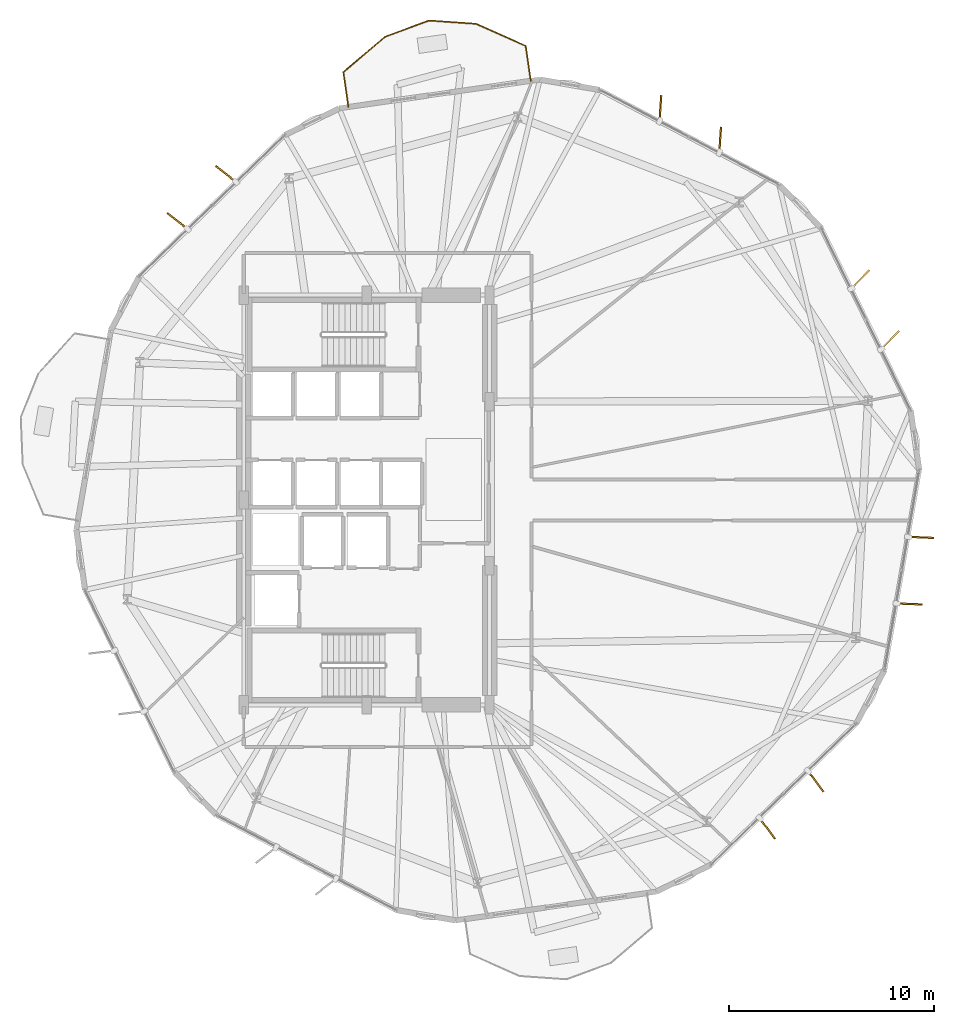
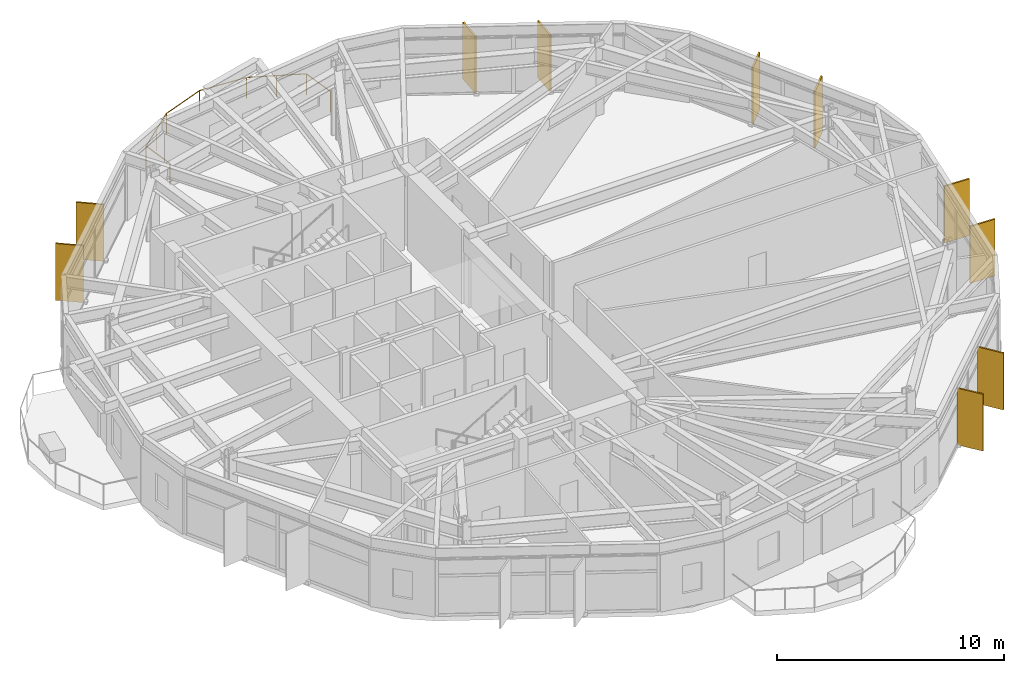
# One storey, part 22 of 22: 10 shading devices, 1 railing.
"""IFC4 building model written with IfcOpenShell, lengths in metres."""

from ifc_helpers import new_model, si_unit, direction, frame, origin, origin_2d, place, context, subcontext, project, spatial, rectangle, circle, extrude, material, layer, layer_set, type_object, element, save


model = new_model("IFC4")

# Units and contexts
model_context = context("Model", 3, precision=1e-05, world=origin(), true_north=direction((0.0, 1.0)))
body_context = subcontext(model_context, "Body", "Model", "MODEL_VIEW")
ifc_project = project(units=[si_unit("LENGTHUNIT", "METRE"), si_unit("AREAUNIT", "SQUARE_METRE"), si_unit("VOLUMEUNIT", "CUBIC_METRE"), si_unit("PLANEANGLEUNIT", "RADIAN"), si_unit("MASSUNIT", "GRAM", prefix="KILO")], contexts=[model_context])

# Site, building, storey
site_placement = place(None, origin())
site = spatial("IfcSite", under=ifc_project, at=site_placement, CompositionType="ELEMENT")
building_placement = place(site_placement, origin())
building = spatial("IfcBuilding", under=site, at=building_placement, Name="Soratama Intermodal Tower", CompositionType="ELEMENT")
storey_placement = place(building_placement, frame((0.0, 0.0, 58.60009765625)))
storey = spatial("IfcBuildingStorey", under=building, at=storey_placement, Name="L13", CompositionType="ELEMENT", Elevation=58.60009765625)

# Railing
ifc_material_1 = material(Name="Laminated glass and stainless steel balustrade", Category="steel")
railing_type = type_object("IfcRailingType", Name="RL-BAL-1150", PredefinedType="BALUSTRADE", material=ifc_material_1)
railing_placement = place(storey_placement, frame((37.7060546875, 44.1845703125, 0.0)))
element("IfcRailing", 1, at=railing_placement, inside=storey, type_object=railing_type, Name="L13 Balcony Balustrade 1", PredefinedType="BALUSTRADE", context=body_context, shape_type="SweptSolid", body=[
    extrude(circle(Radius=0.02392578125, at=origin_2d()), frame((0.0, 0.0, 1.1259765625), z_axis=(-0.141937991265, 0.989875551085, 0.0), x_axis=(-0.989875551085, -0.141937991265, 0.0)), (0.0, 0.0, 1.0), 1.719970703125),
    extrude(circle(Radius=0.02392578125, at=origin_2d()), frame((-0.244140625, 1.70263671875, 1.1259765625), z_axis=(0.762161470195, 0.647386973417, 0.0), x_axis=(-0.647386973417, 0.762161470195, 0.0)), (0.0, 0.0, 1.0), 2.65673828125),
    extrude(circle(Radius=0.02392578125, at=origin_2d()), frame((1.78076171875, 3.422607421875, 1.1259765625), z_axis=(0.937756442599, 0.347293614056, 0.0), x_axis=(-0.347293614056, 0.937756442599, 0.0)), (0.0, 0.0, 1.0), 2.300048828125),
    extrude(circle(Radius=0.02392578125, at=origin_2d()), frame((3.937744140625, 4.221435546875, 1.1259765625), z_axis=(0.997558449591, -0.069836520888, 0.0), x_axis=(0.069836520888, 0.997558449591, 0.0)), (0.0, 0.0, 1.0), 2.30029296875),
    extrude(circle(Radius=0.02392578125, at=origin_2d()), frame((6.232421875, 4.060791015625, 1.1259765625), z_axis=(0.913379014024, -0.407110275896, 0.0), x_axis=(0.407110275896, 0.913379014024, 0.0)), (0.0, 0.0, 1.0), 2.65673828125),
    extrude(circle(Radius=0.02392578125, at=origin_2d()), frame((8.658935546875, 2.979248046875, 1.1259765625), z_axis=(0.141937991265, -0.989875551085, 0.0), x_axis=(0.989875551085, 0.141937991265, 0.0)), (0.0, 0.0, 1.0), 1.719970703125),
    extrude(circle(Radius=0.02099609375, at=origin_2d()), origin(), (0.0, 0.0, 1.0), 1.101806640625),
    extrude(circle(Radius=0.02099609375, at=origin_2d()), frame((-0.244140625, 1.70263671875, 0.0)), (0.0, 0.0, 1.0), 1.101806640625),
    extrude(circle(Radius=0.02099609375, at=origin_2d()), frame((0.768310546875, 2.5625, 0.0)), (0.0, 0.0, 1.0), 1.101806640625),
    extrude(circle(Radius=0.02099609375, at=origin_2d()), frame((1.78076171875, 3.422607421875, 0.0)), (0.0, 0.0, 1.0), 1.101806640625),
    extrude(circle(Radius=0.02099609375, at=origin_2d()), frame((3.937744140625, 4.221435546875, 0.0)), (0.0, 0.0, 1.0), 1.101806640625),
    extrude(circle(Radius=0.02099609375, at=origin_2d()), frame((6.232421875, 4.060791015625, 0.0)), (0.0, 0.0, 1.0), 1.101806640625),
    extrude(circle(Radius=0.02099609375, at=origin_2d()), frame((7.44580078125, 3.52001953125, 0.0)), (0.0, 0.0, 1.0), 1.101806640625),
    extrude(circle(Radius=0.02099609375, at=origin_2d()), frame((8.658935546875, 2.979248046875, 0.0)), (0.0, 0.0, 1.0), 1.101806640625),
    extrude(circle(Radius=0.02099609375, at=origin_2d()), frame((8.903076171875, 1.276611328125, 0.0)), (0.0, 0.0, 1.0), 1.101806640625),
])

# Shading devices
ifc_material_2 = material(Name="Champagne anodised aluminium solar fin", Category="aluminium")
ifc_layer = layer(ifc_material_2, 0.080078125)
ifc_layer_set = layer_set([ifc_layer], Name="Champagne anodised aluminium solar fin")
shading_device_type = type_object("IfcShadingDeviceType", Name="SH-FIN-1250", PredefinedType="USERDEFINED", material=ifc_layer_set)
for number, where, z_axis, x_axis, name in (
    (2, (64.152587890625, 32.809326171875, 0.019775390625), (0.0, 0.0, 1.0), (0.699912695896, 0.714228407531, 0.0), "L13 Solar Fin F01-1"),
    (3, (62.69873046875, 35.76953125, 0.019775390625), (0.0, 0.0, 1.0), (0.699912695896, 0.714228407531, 0.0), "L13 Solar Fin F01-2"),
    (4, (55.853515625, 42.581298828125, 0.019775390625), (0.0, 0.0, 1.0), (0.066970481029, 0.997754957227, 0.0), "L13 Solar Fin F02-1"),
    (5, (52.93701171875, 44.121337890625, 0.019775390625), (0.0, 0.0, 1.0), (0.066970481029, 0.997754957227, 0.0), "L13 Solar Fin F02-2"),
    (6, (31.7265625, 40.916015625, 0.019775390625), (0.0, 0.0, 1.0), (-0.783476588107, 0.621421303053, 0.0), "L13 Solar Fin F04-1"),
    (7, (29.360595703125, 38.618408203125, 0.019775390625), (0.0, 0.0, 1.0), (-0.783476588107, 0.621421303053, 0.0), "L13 Solar Fin F04-2"),
    (8, (58.15380859375, 8.968017578125, 0.019775390625), (0.0, 0.0, 1.0), (0.598184746287, -0.801358227829, 0.0), "L13 Solar Fin F09-1"),
    (9, (60.52001953125, 11.265625, 0.019775390625), (0.0, 0.0, 1.0), (0.598184746287, -0.801358227829, 0.0), "L13 Solar Fin F09-2"),
    (10, (65.093505859375, 19.92578125, 0.019775390625), (0.0, 0.0, 1.0), (0.999108151868, -0.042224410831, 0.0), "L13 Solar Fin F10-1"),
    (11, (65.6572265625, 23.17529296875, 0.019775390625), (0.0, 0.0, 1.0), (0.999108151868, -0.042224410831, 0.0), "L13 Solar Fin F10-2"),
):
    element("IfcShadingDevice", number, at=place(storey_placement, frame(where, z_axis=z_axis, x_axis=x_axis)), inside=storey, type_object=shading_device_type, Name=name, ObjectType="FIN", PredefinedType="USERDEFINED", context=body_context, shape_type="SweptSolid", body=[
        extrude(rectangle(XDim=1.25, YDim=0.080078125, at=origin_2d()), origin(), (0.0, 0.0, 1.0), 3.05908203125),
    ])

save(model, "model.ifc")
